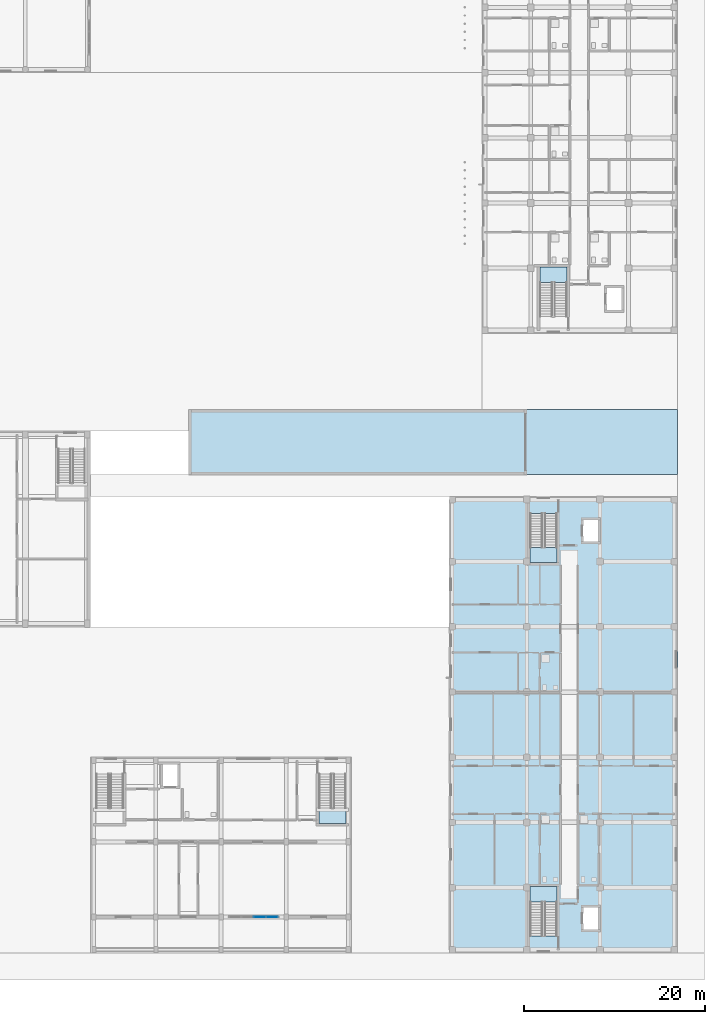
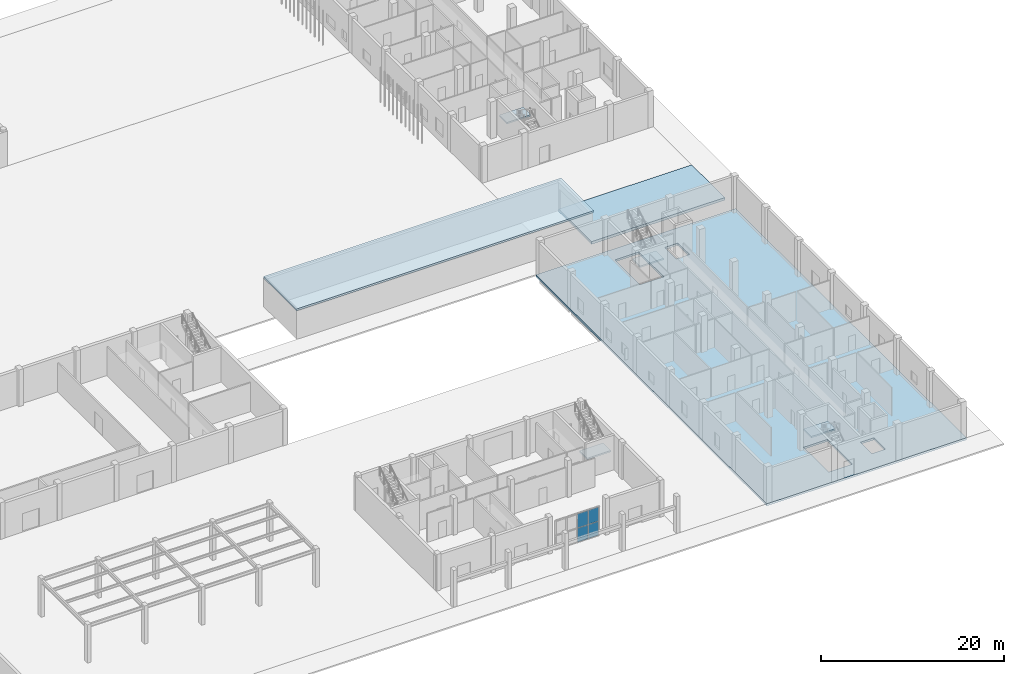
# One storey, part 34 of 85: 7 slabs, 4 plates, 5 elements without a shape of their own.
"""IFC4 building model written with IfcOpenShell, lengths in metres."""

from ifc_helpers import new_model, si_unit, derived_unit, direction, frame, origin, origin_2d, place, context, subcontext, project, spatial, polyline, rectangle, outline, extrude, material, layer, layer_set, type_object, element, aggregate, save


model = new_model("IFC4")

# Units and contexts
model_context = context("Model", 3, precision=1e-05, world=origin(), true_north=direction((0.0, 1.0)))
body_context = subcontext(model_context, "Body", "Model", "MODEL_VIEW")
ifc_project = project(units=[si_unit("LENGTHUNIT", "METRE"), si_unit("AREAUNIT", "SQUARE_METRE"), si_unit("VOLUMEUNIT", "CUBIC_METRE"), si_unit("PLANEANGLEUNIT", "RADIAN"), si_unit("MASSUNIT", "GRAM", prefix="KILO"), derived_unit("THERMALTRANSMITTANCEUNIT", [(si_unit("MASSUNIT", "GRAM", prefix="KILO"), 1), (si_unit("TIMEUNIT", "SECOND"), -3), (si_unit("THERMODYNAMICTEMPERATUREUNIT", "KELVIN"), -1)])], contexts=[model_context])

# Site, building, storey
site_placement = place(None, origin())
site = spatial("IfcSite", under=ifc_project, at=site_placement, CompositionType="ELEMENT")
building_placement = place(site_placement, origin())
building = spatial("IfcBuilding", under=site, at=building_placement, Name="Ochrekiln Boulevard Commons", CompositionType="ELEMENT")
storey_placement = place(building_placement, origin())
storey = spatial("IfcBuildingStorey", under=building, at=storey_placement, Name="L00", CompositionType="ELEMENT", Elevation=0.0)

# Curtain wall, plates
ifc_material_1 = material(Name="Bronze-anodized extruded aluminium 6063-T6", Category="aluminium")
ifc_layer_1 = layer(ifc_material_1, 0.2080078125)
ifc_layer_set_1 = layer_set([ifc_layer_1], Name="Bronze-anodized extruded aluminium 6063-T6")
curtain_wall_type = type_object("IfcCurtainWallType", Name="CW-SHOP", PredefinedType="USERDEFINED", material=ifc_layer_set_1)
curtain_wall_placement = place(storey_placement, origin())
curtain_wall = element("IfcCurtainWall", 1, at=curtain_wall_placement, inside=storey, type_object=curtain_wall_type, Name="East Boulevard Arcade Glazed Shopfront Curtain Wall 3", ObjectType="GLAZED CURTAIN WALL", PredefinedType="USERDEFINED")
ifc_material_2 = material(Name="Spectrally selective low-E insulated glazing", Category="glass")
ifc_layer_2 = layer(ifc_material_2, 0.035888671875)
ifc_layer_set_2 = layer_set([ifc_layer_2], Name="Spectrally selective low-E insulated glazing")
plate_type = type_object("IfcPlateType", Name="CWP-GLZ-3", PredefinedType="CURTAIN_PANEL", material=ifc_layer_set_2)
plate_1_placement = place(storey_placement, frame((126.6875, 3.949951171875, 0.06494140625), z_axis=(0.0, 0.0, 1.0), x_axis=(1.0, 0.0, 0.0)))
plate_1 = element("IfcPlate", 2, at=plate_1_placement, type_object=plate_type, Name="CW-04 panel 3.1", PredefinedType="CURTAIN_PANEL", context=body_context, shape_type="SweptSolid", body=[
    extrude(rectangle(XDim=1.31005859375, YDim=0.035888671875, at=origin_2d()), origin(), (0.0, 0.0, 1.0), 1.8525390625),
])
plate_2_placement = place(storey_placement, frame((126.6875, 3.949951171875, 1.982421875), z_axis=(0.0, 0.0, 1.0), x_axis=(1.0, 0.0, 0.0)))
plate_2 = element("IfcPlate", 3, at=plate_2_placement, type_object=plate_type, Name="CW-04 panel 3.2", PredefinedType="CURTAIN_PANEL", context=body_context, shape_type="SweptSolid", body=[
    extrude(rectangle(XDim=1.31005859375, YDim=0.035888671875, at=origin_2d()), origin(), (0.0, 0.0, 1.0), 1.8525390625),
])
plate_3_placement = place(storey_placement, frame((128.046142578125, 3.949951171875, 0.06494140625), z_axis=(0.0, 0.0, 1.0), x_axis=(1.0, 0.0, 0.0)))
plate_3 = element("IfcPlate", 4, at=plate_3_placement, type_object=plate_type, Name="CW-04 panel 4.1", PredefinedType="CURTAIN_PANEL", context=body_context, shape_type="SweptSolid", body=[
    extrude(rectangle(XDim=1.277587890625, YDim=0.035888671875, at=origin_2d()), origin(), (0.0, 0.0, 1.0), 1.8525390625),
])
plate_4_placement = place(storey_placement, frame((128.046142578125, 3.949951171875, 1.982421875), z_axis=(0.0, 0.0, 1.0), x_axis=(1.0, 0.0, 0.0)))
plate_4 = element("IfcPlate", 5, at=plate_4_placement, type_object=plate_type, Name="CW-04 panel 4.2", PredefinedType="CURTAIN_PANEL", context=body_context, shape_type="SweptSolid", body=[
    extrude(rectangle(XDim=1.277587890625, YDim=0.035888671875, at=origin_2d()), origin(), (0.0, 0.0, 1.0), 1.8525390625),
])
aggregate(curtain_wall, [plate_1, plate_2, plate_3, plate_4])

# Slabs
ifc_material_3 = material(Name="Concrete C35/45", Category="concrete")
ifc_layer_3 = layer(ifc_material_3, 0.35009765625)
ifc_layer_set_3 = layer_set([ifc_layer_3], Name="Concrete C35/45")
slab_type_1 = type_object("IfcSlabType", Name="SLB-APRON-350", PredefinedType="FLOOR", material=ifc_layer_set_3)
slab_1_placement = place(storey_placement, frame((0.0, 0.0, -0.35009765625)))
element("IfcSlab", 6, at=slab_1_placement, inside=storey, type_object=slab_type_1, Name="L00 East Vehicular Ramp Driveway Apron Paving Slab", PredefinedType="FLOOR", context=body_context, shape_type="SweptSolid", body=[
    extrude(outline(polyline([(156.0, 52.800048828125), (172.800048828125, 52.800048828125), (172.800048828125, 60.0), (156.0, 60.0), (156.0, 52.800048828125)])), origin(), (0.0, 0.0, 1.0), 0.35009765625),
])
ifc_layer_4 = layer(ifc_material_3, 0.280029296875)
ifc_layer_set_4 = layer_set([ifc_layer_4], Name="Concrete C35/45")
slab_type_2 = type_object("IfcSlabType", Name="SLB-GND-280", PredefinedType="FLOOR", material=ifc_layer_set_4)
slab_2_placement = place(storey_placement, frame((0.0, 0.0, -0.280029296875)))
element("IfcSlab", 7, at=slab_2_placement, inside=storey, type_object=slab_type_2, Name="Block C L00 Reinforced Concrete Floor Slab", PredefinedType="FLOOR", context=body_context, shape_type="SweptSolid", body=[
    extrude(outline(polyline([(147.60009765625, 0.0), (172.800048828125, 0.0), (172.800048828125, 50.39990234375), (147.60009765625, 50.39990234375), (147.60009765625, 0.0)]), holes=[polyline([(159.5, 1.87060546875), (159.5, 7.320068359375), (156.5, 7.320068359375), (156.5, 1.87060546875), (159.5, 1.87060546875)]), polyline([(156.5, 48.529541015625), (156.5, 43.080078125), (159.5, 43.080078125), (159.5, 48.529541015625), (156.5, 48.529541015625)]), polyline([(162.35009765625, 2.550048828125), (164.050048828125, 2.550048828125), (164.050048828125, 5.050048828125), (162.35009765625, 5.050048828125), (162.35009765625, 2.550048828125)]), polyline([(162.35009765625, 45.35009765625), (164.050048828125, 45.35009765625), (164.050048828125, 47.85009765625), (162.35009765625, 47.85009765625), (162.35009765625, 45.35009765625)])]), origin(), (0.0, 0.0, 1.0), 0.280029296875),
])

# Stair, slab
stair_type = type_object("IfcStairType", Name="STR-DL-490", PredefinedType="TWO_STRAIGHT_RUN_STAIR", material=ifc_material_3)
stair_1_placement = place(storey_placement, origin())
stair_1 = element("IfcStair", 8, at=stair_1_placement, inside=storey, type_object=stair_type, Name="L00 Enclosed Exit Stair ST-B1", PredefinedType="TWO_STRAIGHT_RUN_STAIR")
ifc_layer_5 = layer(ifc_material_3, 0.199951171875)
ifc_layer_set_5 = layer_set([ifc_layer_5], Name="Concrete C35/45")
slab_type_3 = type_object("IfcSlabType", Name="SLB-LND-200", PredefinedType="LANDING", material=ifc_layer_set_5)
slab_3_placement = place(storey_placement, frame((0.0, 0.0, 2.25)))
slab_3 = element("IfcSlab", 9, at=slab_3_placement, type_object=slab_type_3, Name="ST-B1 landing 1", PredefinedType="LANDING", context=body_context, shape_type="SweptSolid", body=[
    extrude(outline(polyline([(160.60009765625, 74.0400390625), (160.60009765625, 75.719970703125), (157.60009765625, 75.719970703125), (157.60009765625, 74.0400390625), (160.60009765625, 74.0400390625)])), origin(), (0.0, 0.0, 1.0), 0.199951171875),
])
aggregate(stair_1, [slab_3])

stair_2_placement = place(storey_placement, origin())
stair_2 = element("IfcStair", 10, at=stair_2_placement, inside=storey, type_object=stair_type, Name="L00 Enclosed Exit Stair ST-C1", PredefinedType="TWO_STRAIGHT_RUN_STAIR")
slab_4_placement = place(storey_placement, frame((0.0, 0.0, 2.25)))
slab_4 = element("IfcSlab", 11, at=slab_4_placement, type_object=slab_type_3, Name="ST-C1 landing 1", PredefinedType="LANDING", context=body_context, shape_type="SweptSolid", body=[
    extrude(outline(polyline([(159.5, 5.639892578125), (159.5, 7.320068359375), (156.5, 7.320068359375), (156.5, 5.639892578125), (159.5, 5.639892578125)])), origin(), (0.0, 0.0, 1.0), 0.199951171875),
])
aggregate(stair_2, [slab_4])

stair_3_placement = place(storey_placement, origin())
stair_3 = element("IfcStair", 12, at=stair_3_placement, inside=storey, type_object=stair_type, Name="L00 Enclosed Exit Stair ST-C2", PredefinedType="TWO_STRAIGHT_RUN_STAIR")
slab_5_placement = place(storey_placement, frame((0.0, 0.0, 2.25)))
slab_5 = element("IfcSlab", 13, at=slab_5_placement, type_object=slab_type_3, Name="ST-C2 landing 1", PredefinedType="LANDING", context=body_context, shape_type="SweptSolid", body=[
    extrude(outline(polyline([(156.5, 44.760009765625), (156.5, 43.080078125), (159.5, 43.080078125), (159.5, 44.760009765625), (156.5, 44.760009765625)])), origin(), (0.0, 0.0, 1.0), 0.199951171875),
])
aggregate(stair_3, [slab_5])

stair_4_placement = place(storey_placement, origin())
stair_4 = element("IfcStair", 14, at=stair_4_placement, inside=storey, type_object=stair_type, Name="L00 Enclosed Exit Stair ST-E2", PredefinedType="TWO_STRAIGHT_RUN_STAIR")
slab_6_placement = place(storey_placement, frame((0.0, 0.0, 2.25)))
slab_6 = element("IfcSlab", 15, at=slab_6_placement, type_object=slab_type_3, Name="ST-E2 landing 1", PredefinedType="LANDING", context=body_context, shape_type="SweptSolid", body=[
    extrude(outline(polyline([(133.199951171875, 15.9599609375), (133.199951171875, 14.280029296875), (136.199951171875, 14.280029296875), (136.199951171875, 15.9599609375), (133.199951171875, 15.9599609375)])), origin(), (0.0, 0.0, 1.0), 0.199951171875),
])
aggregate(stair_4, [slab_6])

# Slab
ifc_layer_6 = layer(ifc_material_3, 0.239990234375)
ifc_layer_set_6 = layer_set([ifc_layer_6], Name="Concrete C35/45")
slab_type_4 = type_object("IfcSlabType", Name="SLB-TERR-240", PredefinedType="ROOF", material=ifc_layer_set_6)
slab_7_placement = place(storey_placement, frame((0.0, 0.0, 3.800048828125)))
element("IfcSlab", 16, at=slab_7_placement, inside=storey, type_object=slab_type_4, Name="L00 Car Park Entry Portal Hood Canopy Roof Slab", PredefinedType="ROOF", context=body_context, shape_type="SweptSolid", body=[
    extrude(outline(polyline([(118.800048828125, 52.800048828125), (156.320068359375, 52.800048828125), (156.320068359375, 60.0), (118.800048828125, 60.0), (118.800048828125, 52.800048828125)])), origin(), (0.0, 0.0, 1.0), 0.239990234375),
])

save(model, "model.ifc")
